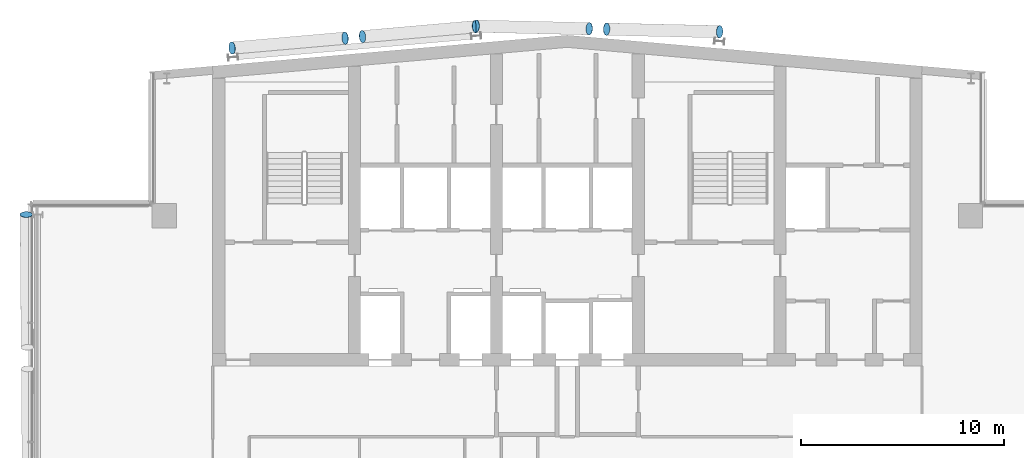
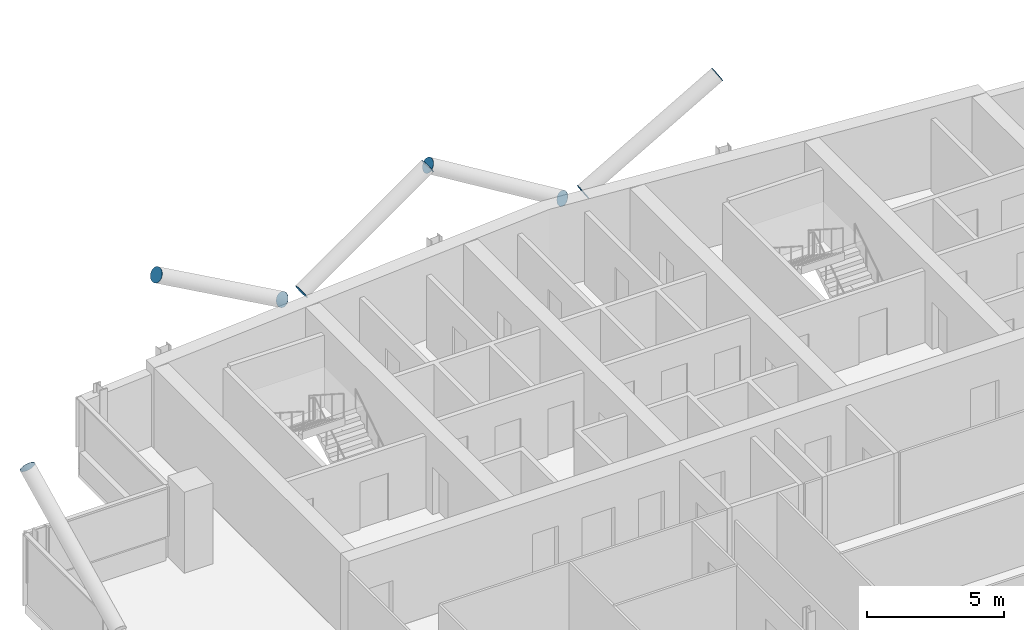
# One storey, part 23 of 27: 9 discrete accessories.
"""IFC4 building model written with IfcOpenShell, lengths in metres."""

from ifc_helpers import new_model, si_unit, direction, frame, origin, origin_2d, place, context, subcontext, project, spatial, circle, extrude, material, material_profile, profile_set, type_object, element, save


model = new_model("IFC4")

# Units and contexts
model_context = context("Model", 3, precision=1e-05, world=origin(), true_north=direction((0.0, 1.0)))
body_context = subcontext(model_context, "Body", "Model", "MODEL_VIEW")
ifc_project = project(units=[si_unit("LENGTHUNIT", "METRE"), si_unit("AREAUNIT", "SQUARE_METRE"), si_unit("VOLUMEUNIT", "CUBIC_METRE"), si_unit("PLANEANGLEUNIT", "RADIAN"), si_unit("MASSUNIT", "GRAM", prefix="KILO")], contexts=[model_context])

# Site, building, storey
site_placement = place(None, origin())
site = spatial("IfcSite", under=ifc_project, at=site_placement, CompositionType="ELEMENT")
building_placement = place(site_placement, origin())
building = spatial("IfcBuilding", under=site, at=building_placement, Name="Wharfspan Tower", CompositionType="ELEMENT")
storey_placement = place(building_placement, frame((0.0, 0.0, 228.699951)))
storey = spatial("IfcBuildingStorey", under=building, at=storey_placement, Name="L57", CompositionType="ELEMENT", Elevation=228.699951)

# Discrete accessories
ifc_material = material(Name="Steel S460NH", Category="steel")
ifc_material_profile = material_profile(ifc_material, circle(Radius=0.304932, at=origin_2d()))
ifc_profile_set = profile_set([ifc_material_profile], Name="Steel S460NH")
discrete_accessory_type = type_object("IfcDiscreteAccessoryType", Name="End plate CHS 610x25", PredefinedType="BRACKET", material=ifc_profile_set)
for number, where, z_axis, x_axis, name in (
    (1, (13.792969, 41.459717, 6.5), (0.0, 0.884385, 0.466759), (-1.0, 0.0, 0.0), "End plate CHS 610x25"),
    (2, (30.38501, 50.247314, 3.154785), (0.855186, 0.073302, 0.513112), (-0.085402, 0.996345, 1e-06), "End plate CHS 610x25"),
    (3, (35.960693, 50.735107, 6.5), (0.855186, 0.073302, 0.513112), (-0.085402, 0.996345, 1e-06), "End plate CHS 610x25"),
    (4, (29.536133, 50.172852, 3.154785), (-0.855186, -0.073302, 0.513112), (0.085402, -0.996345, 1e-06), "End plate CHS 610x25"),
    (5, (23.960693, 49.685059, 6.5), (-0.855186, -0.073302, 0.513112), (0.085402, -0.996345, 1e-06), "End plate CHS 610x25"),
    (6, (42.434326, 50.616943, 3.154541), (0.857236, -0.024492, 0.514341), (0.028558, 0.999591, 2e-06), "End plate CHS 610x25"),
    (7, (48.010254, 50.490234, 6.5), (0.857236, -0.024492, 0.514341), (0.028558, 0.999591, 2e-06), "End plate CHS 610x25"),
    (8, (41.586426, 50.63623, 3.154541), (-0.857236, 0.024492, 0.514341), (-0.028558, -0.999591, 2e-06), "End plate CHS 610x25"),
    (9, (36.010498, 50.762939, 6.5), (-0.857236, 0.024492, 0.514341), (-0.028558, -0.999591, 2e-06), "End plate CHS 610x25"),
):
    element("IfcDiscreteAccessory", number, at=place(storey_placement, frame(where, z_axis=z_axis, x_axis=x_axis)), inside=storey, type_object=discrete_accessory_type, Name=name, PredefinedType="BRACKET", context=body_context, shape_type="SweptSolid", body=[
        extrude(circle(Radius=0.304932, at=origin_2d()), origin(), (0.0, 0.0, 1.0), 0.01001),
    ])

save(model, "model.ifc")
